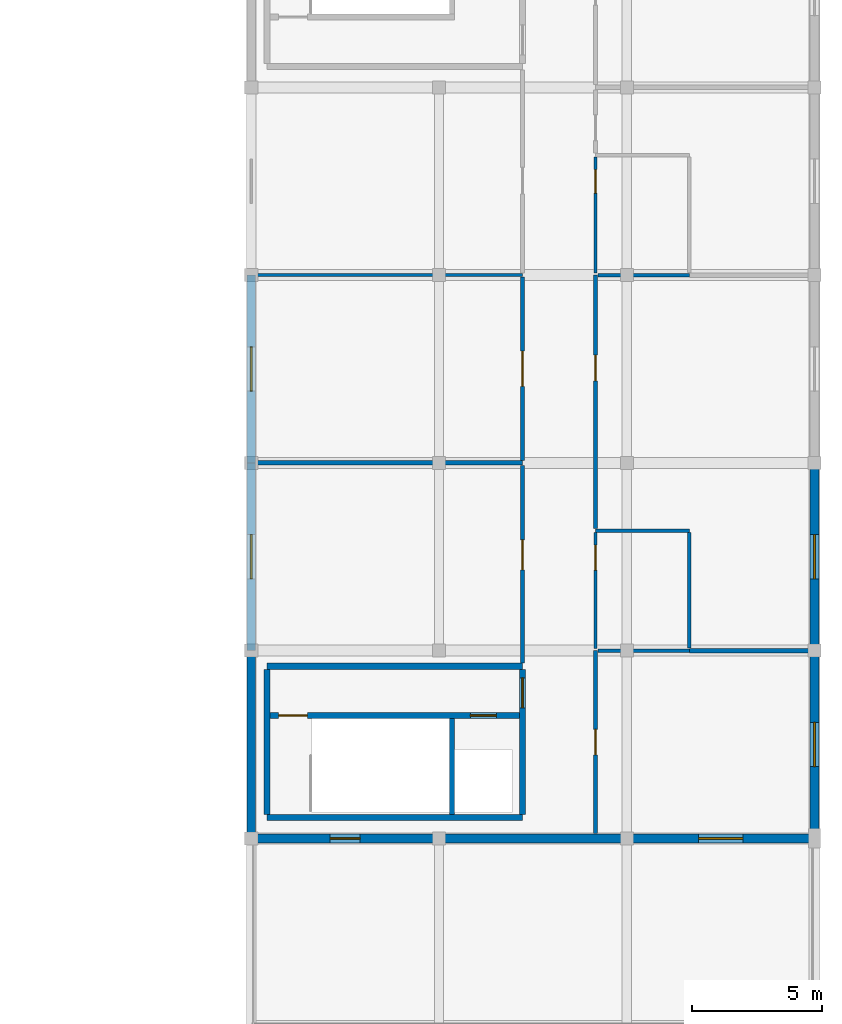
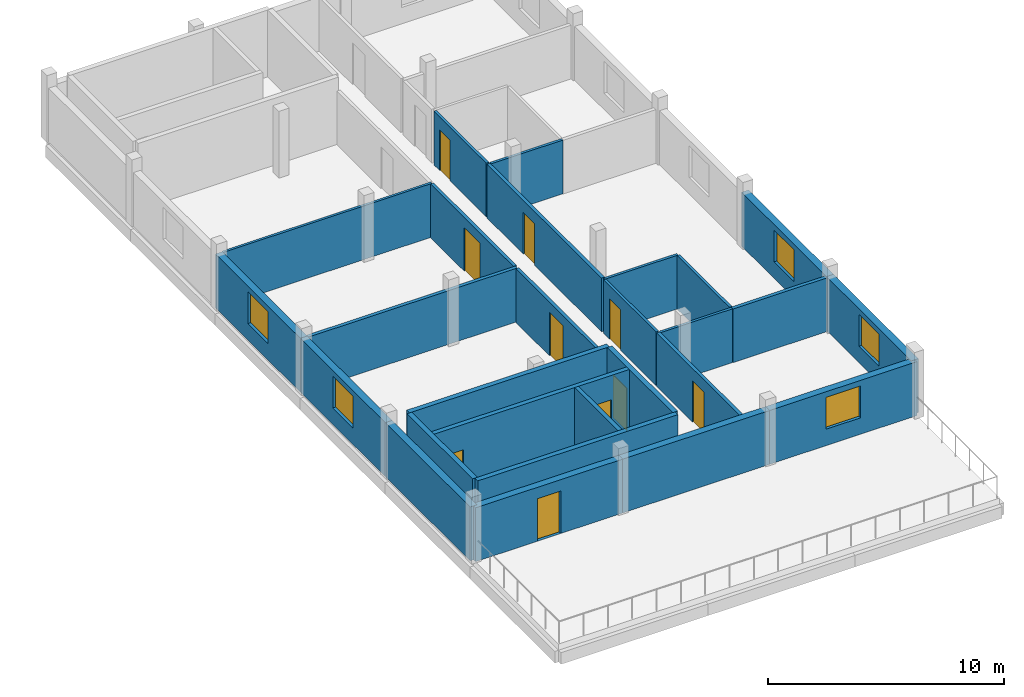
# One storey, part 22 of 26: 27 walls, 10 doors, 5 windows, 15 openings.
"""IFC4 building model written with IfcOpenShell, lengths in metres."""

from ifc_helpers import new_model, si_unit, direction, frame, frame_2d, origin, place, context, subcontext, project, spatial, rectangle, extrude, material, layer, layer_set, type_object, element, fill, save


model = new_model("IFC4")

# Units and contexts
model_context = context("Model", 3, precision=1e-05, world=origin(), true_north=direction((0.0, 1.0)))
body_context = subcontext(model_context, "Body", "Model", "MODEL_VIEW")
ifc_project = project(units=[si_unit("LENGTHUNIT", "METRE"), si_unit("AREAUNIT", "SQUARE_METRE"), si_unit("VOLUMEUNIT", "CUBIC_METRE"), si_unit("PLANEANGLEUNIT", "RADIAN"), si_unit("MASSUNIT", "GRAM", prefix="KILO")], contexts=[model_context])

# Site, building, storey
site_placement = place(None, origin())
site = spatial("IfcSite", under=ifc_project, at=site_placement, CompositionType="ELEMENT")
building_placement = place(site_placement, origin())
building = spatial("IfcBuilding", under=site, at=building_placement, Name="Zornivar Specialist Clinic", CompositionType="ELEMENT")
storey_placement = place(building_placement, frame((0.0, 0.0, 19.699951171875)))
storey = spatial("IfcBuildingStorey", under=building, at=storey_placement, Name="L05", CompositionType="ELEMENT", Elevation=19.699951171875)

# Wall, opening, door
ifc_material_1 = material(Name="Masonry Laboratory Terracotta and Stone Cavity Wall", Category="masonry")
ifc_layer_1 = layer(ifc_material_1, 0.340087890625)
ifc_layer_set_1 = layer_set([ifc_layer_1], Name="Masonry Laboratory Terracotta and Stone Cavity Wall")
wall_type_1 = type_object("IfcWallType", Name="EW-LAB-340", PredefinedType="SOLIDWALL", material=ifc_layer_set_1)
wall_1_placement = place(storey_placement, frame((144.0, 72.0, 0.0), z_axis=(0.0, 0.0, 1.0), x_axis=(1.0, 0.0, 0.0)))
wall_1 = element("IfcWall", 1, at=wall_1_placement, inside=storey, type_object=wall_type_1, Name="ew:V6:L05:00", PredefinedType="SOLIDWALL", context=body_context, shape_type="SweptSolid", body=[
    extrude(rectangle(XDim=7.199951171875, YDim=0.340087890625, at=frame_2d((3.60009765625, 0.0))), origin(), (0.0, 0.0, 1.0), 2.7900390625),
])
opening_1_placement = place(wall_1_placement, frame((3.02490234375, 0.0, 0.0)))
opening_1 = element("IfcOpeningElement", 2, at=opening_1_placement, cuts=wall_1, Name="Opening TD-03", PredefinedType="OPENING", context=body_context, shape_type="SweptSolid", body=[
    extrude(rectangle(XDim=1.14990234375, YDim=2.199951171875, at=frame_2d((0.574951171875, 1.10009765625))), frame((0.0, 0.179931640625, 0.0), z_axis=(0.0, -1.0, 0.0), x_axis=(1.0, 0.0, 0.0)), (0.0, 0.0, 1.0), 0.360107421875),
])
ifc_material_2 = material(Name="Thermally Broken Glazed Aluminium Door", Category="aluminium")
door_type_1 = type_object("IfcDoorType", Name="TD-TERR-1150x2200", OperationType="NOTDEFINED", PredefinedType="DOOR", material=ifc_material_2)
door_1_placement = place(opening_1_placement, origin())
door_1 = element("IfcDoor", 3, at=door_1_placement, inside=storey, type_object=door_type_1, Name="door:V6:L05:terr:0", OperationType="SINGLE_SWING_LEFT", OverallHeight=2.199951171875, OverallWidth=1.14990234375, PredefinedType="DOOR", context=body_context, shape_type="SweptSolid", body=[
    extrude(rectangle(XDim=1.14990234375, YDim=2.199951171875, at=frame_2d((0.574951171875, 1.10009765625))), frame((0.0, 0.02490234375, 0.0), z_axis=(0.0, -1.0, 0.0), x_axis=(1.0, 0.0, 0.0)), (0.0, 0.0, 1.0), 0.050048828125),
])
fill(opening_1, door_1)

# Wall
wall_2_placement = place(storey_placement, frame((151.199951171875, 72.0, 0.0), z_axis=(0.0, 0.0, 1.0), x_axis=(1.0, 0.0, 0.0)))
element("IfcWall", 4, at=wall_2_placement, inside=storey, type_object=wall_type_1, Name="ew:V6:L05:01", PredefinedType="SOLIDWALL", context=body_context, shape_type="SweptSolid", body=[
    extrude(rectangle(XDim=7.199951171875, YDim=0.340087890625, at=frame_2d((3.60009765625, 0.0))), origin(), (0.0, 0.0, 1.0), 2.7900390625),
])

# Wall, opening, window
wall_3_placement = place(storey_placement, frame((158.39990234375, 72.0, 0.0), z_axis=(0.0, 0.0, 1.0), x_axis=(1.0, 0.0, 0.0)))
wall_3 = element("IfcWall", 5, at=wall_3_placement, inside=storey, type_object=wall_type_1, Name="ew:V6:L05:02", PredefinedType="SOLIDWALL", context=body_context, shape_type="SweptSolid", body=[
    extrude(rectangle(XDim=7.2001953125, YDim=0.340087890625, at=frame_2d((3.60009765625, 0.0))), origin(), (0.0, 0.0, 1.0), 2.7900390625),
])
opening_2_placement = place(wall_3_placement, frame((2.75, 0.0, 0.85009765625)))
opening_2 = element("IfcOpeningElement", 6, at=opening_2_placement, cuts=wall_3, Name="Opening W-21", PredefinedType="OPENING", context=body_context, shape_type="SweptSolid", body=[
    extrude(rectangle(XDim=1.699951171875, YDim=1.64990234375, at=frame_2d((0.85009765625, 0.824951171875))), frame((0.0, 0.179931640625, 0.0), z_axis=(0.0, -1.0, 0.0), x_axis=(1.0, 0.0, 0.0)), (0.0, 0.0, 1.0), 0.360107421875),
])
ifc_material_3 = material(Name="Triple-Glazed Aluminium-Timber Window Glass", Category="wood")
window_type = type_object("IfcWindowType", Name="WIN-LAB-UPPER-1700x1650", PartitioningType="SINGLE_PANEL", PredefinedType="WINDOW", material=ifc_material_3)
window_1_placement = place(opening_2_placement, origin())
window_1 = element("IfcWindow", 7, at=window_1_placement, inside=storey, type_object=window_type, Name="win:V6:L05:02", OverallHeight=1.64990234375, OverallWidth=1.699951171875, PartitioningType="SINGLE_PANEL", PredefinedType="WINDOW", context=body_context, shape_type="SweptSolid", body=[
    extrude(rectangle(XDim=1.699951171875, YDim=1.64990234375, at=frame_2d((0.85009765625, 0.824951171875))), frame((0.0, 0.030029296875, 0.0), z_axis=(0.0, -1.0, 0.0), x_axis=(1.0, 0.0, 0.0)), (0.0, 0.0, 1.0), 0.06005859375),
])
fill(opening_2, window_1)

wall_4_placement = place(storey_placement, frame((165.60009765625, 72.0, 0.0), z_axis=(0.0, 0.0, 1.0), x_axis=(0.0, 1.0, 0.0)))
wall_4 = element("IfcWall", 8, at=wall_4_placement, inside=storey, type_object=wall_type_1, Name="ew:V6:L05:03", PredefinedType="SOLIDWALL", context=body_context, shape_type="SweptSolid", body=[
    extrude(rectangle(XDim=7.199951171875, YDim=0.340087890625, at=frame_2d((3.60009765625, 0.0))), origin(), (0.0, 0.0, 1.0), 2.7900390625),
])
opening_3_placement = place(wall_4_placement, frame((2.75, 0.0, 0.85009765625)))
opening_3 = element("IfcOpeningElement", 9, at=opening_3_placement, cuts=wall_4, Name="Opening W-21", PredefinedType="OPENING", context=body_context, shape_type="SweptSolid", body=[
    extrude(rectangle(XDim=1.699951171875, YDim=1.64990234375, at=frame_2d((0.85009765625, 0.824951171875))), frame((0.0, 0.179931640625, 0.0), z_axis=(0.0, -1.0, 0.0), x_axis=(1.0, 0.0, 0.0)), (0.0, 0.0, 1.0), 0.360107421875),
])
window_2_placement = place(opening_3_placement, origin())
window_2 = element("IfcWindow", 10, at=window_2_placement, inside=storey, type_object=window_type, Name="win:V6:L05:03", OverallHeight=1.64990234375, OverallWidth=1.699951171875, PartitioningType="SINGLE_PANEL", PredefinedType="WINDOW", context=body_context, shape_type="SweptSolid", body=[
    extrude(rectangle(XDim=1.699951171875, YDim=1.64990234375, at=frame_2d((0.85009765625, 0.824951171875))), frame((0.0, 0.030029296875, 0.0), z_axis=(0.0, -1.0, 0.0), x_axis=(1.0, 0.0, 0.0)), (0.0, 0.0, 1.0), 0.06005859375),
])
fill(opening_3, window_2)

wall_5_placement = place(storey_placement, frame((165.60009765625, 79.199951171875, 0.0), z_axis=(0.0, 0.0, 1.0), x_axis=(0.0, 1.0, 0.0)))
wall_5 = element("IfcWall", 11, at=wall_5_placement, inside=storey, type_object=wall_type_1, Name="ew:V6:L05:04", PredefinedType="SOLIDWALL", context=body_context, shape_type="SweptSolid", body=[
    extrude(rectangle(XDim=7.199951171875, YDim=0.340087890625, at=frame_2d((3.60009765625, 0.0))), origin(), (0.0, 0.0, 1.0), 2.7900390625),
])
opening_4_placement = place(wall_5_placement, frame((2.75, 0.0, 0.85009765625)))
opening_4 = element("IfcOpeningElement", 12, at=opening_4_placement, cuts=wall_5, Name="Opening W-21", PredefinedType="OPENING", context=body_context, shape_type="SweptSolid", body=[
    extrude(rectangle(XDim=1.699951171875, YDim=1.64990234375, at=frame_2d((0.85009765625, 0.824951171875))), frame((0.0, 0.179931640625, 0.0), z_axis=(0.0, -1.0, 0.0), x_axis=(1.0, 0.0, 0.0)), (0.0, 0.0, 1.0), 0.360107421875),
])
window_3_placement = place(opening_4_placement, origin())
window_3 = element("IfcWindow", 13, at=window_3_placement, inside=storey, type_object=window_type, Name="win:V6:L05:04", OverallHeight=1.64990234375, OverallWidth=1.699951171875, PartitioningType="SINGLE_PANEL", PredefinedType="WINDOW", context=body_context, shape_type="SweptSolid", body=[
    extrude(rectangle(XDim=1.699951171875, YDim=1.64990234375, at=frame_2d((0.85009765625, 0.824951171875))), frame((0.0, 0.030029296875, 0.0), z_axis=(0.0, -1.0, 0.0), x_axis=(1.0, 0.0, 0.0)), (0.0, 0.0, 1.0), 0.06005859375),
])
fill(opening_4, window_3)

wall_6_placement = place(storey_placement, frame((144.0, 93.60009765625, 0.0), z_axis=(0.0, 0.0, 1.0), x_axis=(0.0, -1.0, 0.0)))
wall_6 = element("IfcWall", 14, at=wall_6_placement, inside=storey, type_object=wall_type_1, Name="ew:V6:L05:13", PredefinedType="SOLIDWALL", context=body_context, shape_type="SweptSolid", body=[
    extrude(rectangle(XDim=7.2001953125, YDim=0.340087890625, at=frame_2d((3.60009765625, 0.0))), origin(), (0.0, 0.0, 1.0), 2.7900390625),
])
opening_5_placement = place(wall_6_placement, frame((2.75, 0.0, 0.85009765625)))
opening_5 = element("IfcOpeningElement", 15, at=opening_5_placement, cuts=wall_6, Name="Opening W-21", PredefinedType="OPENING", context=body_context, shape_type="SweptSolid", body=[
    extrude(rectangle(XDim=1.699951171875, YDim=1.64990234375, at=frame_2d((0.85009765625, 0.824951171875))), frame((0.0, 0.179931640625, 0.0), z_axis=(0.0, -1.0, 0.0), x_axis=(1.0, 0.0, 0.0)), (0.0, 0.0, 1.0), 0.360107421875),
])
window_4_placement = place(opening_5_placement, origin())
window_4 = element("IfcWindow", 16, at=window_4_placement, inside=storey, type_object=window_type, Name="win:V6:L05:13", OverallHeight=1.64990234375, OverallWidth=1.699951171875, PartitioningType="SINGLE_PANEL", PredefinedType="WINDOW", context=body_context, shape_type="SweptSolid", body=[
    extrude(rectangle(XDim=1.699951171875, YDim=1.64990234375, at=frame_2d((0.85009765625, 0.824951171875))), frame((0.0, 0.030029296875, 0.0), z_axis=(0.0, -1.0, 0.0), x_axis=(1.0, 0.0, 0.0)), (0.0, 0.0, 1.0), 0.06005859375),
])
fill(opening_5, window_4)

wall_7_placement = place(storey_placement, frame((144.0, 86.39990234375, 0.0), z_axis=(0.0, 0.0, 1.0), x_axis=(0.0, -1.0, 0.0)))
wall_7 = element("IfcWall", 17, at=wall_7_placement, inside=storey, type_object=wall_type_1, Name="ew:V6:L05:14", PredefinedType="SOLIDWALL", context=body_context, shape_type="SweptSolid", body=[
    extrude(rectangle(XDim=7.199951171875, YDim=0.340087890625, at=frame_2d((3.60009765625, 0.0))), origin(), (0.0, 0.0, 1.0), 2.7900390625),
])
opening_6_placement = place(wall_7_placement, frame((2.75, 0.0, 0.85009765625)))
opening_6 = element("IfcOpeningElement", 18, at=opening_6_placement, cuts=wall_7, Name="Opening W-21", PredefinedType="OPENING", context=body_context, shape_type="SweptSolid", body=[
    extrude(rectangle(XDim=1.699951171875, YDim=1.64990234375, at=frame_2d((0.85009765625, 0.824951171875))), frame((0.0, 0.179931640625, 0.0), z_axis=(0.0, -1.0, 0.0), x_axis=(1.0, 0.0, 0.0)), (0.0, 0.0, 1.0), 0.360107421875),
])
window_5_placement = place(opening_6_placement, origin())
window_5 = element("IfcWindow", 19, at=window_5_placement, inside=storey, type_object=window_type, Name="win:V6:L05:14", OverallHeight=1.64990234375, OverallWidth=1.699951171875, PartitioningType="SINGLE_PANEL", PredefinedType="WINDOW", context=body_context, shape_type="SweptSolid", body=[
    extrude(rectangle(XDim=1.699951171875, YDim=1.64990234375, at=frame_2d((0.85009765625, 0.824951171875))), frame((0.0, 0.030029296875, 0.0), z_axis=(0.0, -1.0, 0.0), x_axis=(1.0, 0.0, 0.0)), (0.0, 0.0, 1.0), 0.06005859375),
])
fill(opening_6, window_5)

# Wall
wall_8_placement = place(storey_placement, frame((144.0, 79.199951171875, 0.0), z_axis=(0.0, 0.0, 1.0), x_axis=(0.0, -1.0, 0.0)))
element("IfcWall", 20, at=wall_8_placement, inside=storey, type_object=wall_type_1, Name="ew:V6:L05:15", PredefinedType="SOLIDWALL", context=body_context, shape_type="SweptSolid", body=[
    extrude(rectangle(XDim=7.199951171875, YDim=0.340087890625, at=frame_2d((3.60009765625, 0.0))), origin(), (0.0, 0.0, 1.0), 2.7900390625),
])

# Wall, opening, door
ifc_material_4 = material(Name="Gypsum Fire-Rated Double Stud Partition")
ifc_layer_2 = layer(ifc_material_4, 0.159912109375)
ifc_layer_set_2 = layer_set([ifc_layer_2], Name="Gypsum Fire-Rated Double Stud Partition")
wall_type_2 = type_object("IfcWallType", Name="IW-CORR-EI60-160", PredefinedType="PARTITIONING", material=ifc_layer_set_2)
wall_9_placement = place(storey_placement, frame((154.39990234375, 86.301025390625, 0.0), z_axis=(0.0, 0.0, 1.0), x_axis=(0.0, -1.0, 0.0)))
wall_9 = element("IfcWall", 21, at=wall_9_placement, inside=storey, type_object=wall_type_2, Name="iw:L05:030", PredefinedType="PARTITIONING", context=body_context, shape_type="SweptSolid", body=[
    extrude(rectangle(XDim=7.56591796875, YDim=0.159912109375, at=frame_2d((3.782958984375, 0.0))), origin(), (0.0, 0.0, 1.0), 2.780029296875),
])
opening_7_placement = place(wall_9_placement, frame((2.85205078125, 0.0, 0.0)))
opening_7 = element("IfcOpeningElement", 22, at=opening_7_placement, cuts=wall_9, Name="Opening ID-06", PredefinedType="OPENING", context=body_context, shape_type="SweptSolid", body=[
    extrude(rectangle(XDim=1.14990234375, YDim=2.25, at=frame_2d((0.574951171875, 1.125))), frame((0.0, 0.08984375, 0.0), z_axis=(0.0, -1.0, 0.0), x_axis=(1.0, 0.0, 0.0)), (0.0, 0.0, 1.0), 0.179931640625),
])
ifc_material_5 = material(Name="Solid-Core Hygienic Laminate Timber Door", Category="wood")
door_type_2 = type_object("IfcDoorType", Name="ID-LAB-1150x2250", OperationType="NOTDEFINED", PredefinedType="DOOR", material=ifc_material_5)
door_2_placement = place(opening_7_placement, origin())
door_2 = element("IfcDoor", 23, at=door_2_placement, inside=storey, type_object=door_type_2, Name="door:space:V6:L05:rm:00", OperationType="SINGLE_SWING_LEFT", OverallHeight=2.25, OverallWidth=1.14990234375, PredefinedType="DOOR", context=body_context, shape_type="SweptSolid", body=[
    extrude(rectangle(XDim=1.14990234375, YDim=2.25, at=frame_2d((0.574951171875, 1.125))), frame((0.0, 0.02490234375, 0.0), z_axis=(0.0, -1.0, 0.0), x_axis=(1.0, 0.0, 0.0)), (0.0, 0.0, 1.0), 0.050048828125),
])
fill(opening_7, door_2)

wall_10_placement = place(storey_placement, frame((154.39990234375, 93.52587890625, 0.0), z_axis=(0.0, 0.0, 1.0), x_axis=(0.0, -1.0, 0.0)))
wall_10 = element("IfcWall", 24, at=wall_10_placement, inside=storey, type_object=wall_type_2, Name="iw:L05:032", PredefinedType="PARTITIONING", context=body_context, shape_type="SweptSolid", body=[
    extrude(rectangle(XDim=7.02685546875, YDim=0.159912109375, at=frame_2d((3.513427734375, 0.0))), origin(), (0.0, 0.0, 1.0), 2.780029296875),
])
opening_8_placement = place(wall_10_placement, frame((2.839111328125, 0.0, 0.0)))
opening_8 = element("IfcOpeningElement", 25, at=opening_8_placement, cuts=wall_10, Name="Opening ID-10", PredefinedType="OPENING", context=body_context, shape_type="SweptSolid", body=[
    extrude(rectangle(XDim=1.35009765625, YDim=2.25, at=frame_2d((0.675048828125, 1.125))), frame((0.0, 0.08984375, 0.0), z_axis=(0.0, -1.0, 0.0), x_axis=(1.0, 0.0, 0.0)), (0.0, 0.0, 1.0), 0.179931640625),
])
ifc_material_6 = material(Name="Solid-Core Hygienic Laminate Timber Door", Category="wood")
door_type_3 = type_object("IfcDoorType", Name="ID-TEACH-1350x2250", OperationType="NOTDEFINED", PredefinedType="DOOR", material=ifc_material_6)
door_3_placement = place(opening_8_placement, origin())
door_3 = element("IfcDoor", 26, at=door_3_placement, inside=storey, type_object=door_type_3, Name="door:space:V6:L05:rm:01", OperationType="SINGLE_SWING_RIGHT", OverallHeight=2.25, OverallWidth=1.35009765625, PredefinedType="DOOR", context=body_context, shape_type="SweptSolid", body=[
    extrude(rectangle(XDim=1.35009765625, YDim=2.25, at=frame_2d((0.675048828125, 1.125))), frame((0.0, 0.02490234375, 0.0), z_axis=(0.0, -1.0, 0.0), x_axis=(1.0, 0.0, 0.0)), (0.0, 0.0, 1.0), 0.050048828125),
])
fill(opening_8, door_3)

wall_11_placement = place(storey_placement, frame((157.199951171875, 72.18505859375, 0.0), z_axis=(0.0, 0.0, 1.0), x_axis=(0.0, 1.0, 0.0)))
wall_11 = element("IfcWall", 27, at=wall_11_placement, inside=storey, type_object=wall_type_2, Name="iw:L05:034", PredefinedType="PARTITIONING", context=body_context, shape_type="SweptSolid", body=[
    extrude(rectangle(XDim=7.014892578125, YDim=0.159912109375, at=frame_2d((3.50732421875, 0.0))), origin(), (0.0, 0.0, 1.0), 2.780029296875),
])
opening_9_placement = place(wall_11_placement, frame((3.01708984375, 0.0, 0.0)))
opening_9 = element("IfcOpeningElement", 28, at=opening_9_placement, cuts=wall_11, Name="Opening ID-09", PredefinedType="OPENING", context=body_context, shape_type="SweptSolid", body=[
    extrude(rectangle(XDim=0.97998046875, YDim=2.14990234375, at=frame_2d((0.489990234375, 1.074951171875))), frame((0.0, 0.08984375, 0.0), z_axis=(0.0, -1.0, 0.0), x_axis=(1.0, 0.0, 0.0)), (0.0, 0.0, 1.0), 0.179931640625),
])
ifc_material_7 = material(Name="Solid-Core Hygienic Laminate Timber Door", Category="wood")
door_type_4 = type_object("IfcDoorType", Name="ID-STAFF-0980x2150", OperationType="NOTDEFINED", PredefinedType="DOOR", material=ifc_material_7)
door_4_placement = place(opening_9_placement, origin())
door_4 = element("IfcDoor", 29, at=door_4_placement, inside=storey, type_object=door_type_4, Name="door:space:V6:L05:rm:03", OperationType="SINGLE_SWING_RIGHT", OverallHeight=2.14990234375, OverallWidth=0.97998046875, PredefinedType="DOOR", context=body_context, shape_type="SweptSolid", body=[
    extrude(rectangle(XDim=0.97998046875, YDim=2.14990234375, at=frame_2d((0.489990234375, 1.074951171875))), frame((0.0, 0.02490234375, 0.0), z_axis=(0.0, -1.0, 0.0), x_axis=(1.0, 0.0, 0.0)), (0.0, 0.0, 1.0), 0.050048828125),
])
fill(opening_9, door_4)

wall_12_placement = place(storey_placement, frame((157.199951171875, 83.87890625, 0.0), z_axis=(0.0, 0.0, 1.0), x_axis=(0.0, 1.0, 0.0)))
wall_12 = element("IfcWall", 30, at=wall_12_placement, inside=storey, type_object=wall_type_2, Name="iw:L05:040", PredefinedType="PARTITIONING", context=body_context, shape_type="SweptSolid", body=[
    extrude(rectangle(XDim=9.72119140625, YDim=0.159912109375, at=frame_2d((4.860595703125, 0.0))), origin(), (0.0, 0.0, 1.0), 2.780029296875),
])
opening_10_placement = place(wall_12_placement, frame((5.6669921875, 0.0, 0.0)))
opening_10 = element("IfcOpeningElement", 31, at=opening_10_placement, cuts=wall_12, Name="Opening ID-09", PredefinedType="OPENING", context=body_context, shape_type="SweptSolid", body=[
    extrude(rectangle(XDim=0.97998046875, YDim=2.14990234375, at=frame_2d((0.489990234375, 1.074951171875))), frame((0.0, 0.08984375, 0.0), z_axis=(0.0, -1.0, 0.0), x_axis=(1.0, 0.0, 0.0)), (0.0, 0.0, 1.0), 0.179931640625),
])
door_5_placement = place(opening_10_placement, origin())
door_5 = element("IfcDoor", 32, at=door_5_placement, inside=storey, type_object=door_type_4, Name="door:space:V6:L05:rm:04b", OperationType="SINGLE_SWING_RIGHT", OverallHeight=2.14990234375, OverallWidth=0.97998046875, PredefinedType="DOOR", context=body_context, shape_type="SweptSolid", body=[
    extrude(rectangle(XDim=0.97998046875, YDim=2.14990234375, at=frame_2d((0.489990234375, 1.074951171875))), frame((0.0, 0.02490234375, 0.0), z_axis=(0.0, -1.0, 0.0), x_axis=(1.0, 0.0, 0.0)), (0.0, 0.0, 1.0), 0.050048828125),
])
fill(opening_10, door_5)

# Walls
ifc_material_8 = material(Name="Acoustic Glazed Consultation Partition")
ifc_layer_3 = layer(ifc_material_8, 0.1201171875)
ifc_layer_set_3 = layer_set([ifc_layer_3], Name="Acoustic Glazed Consultation Partition")
wall_type_3 = type_object("IfcWallType", Name="IW-GLAZ-120", PredefinedType="PARTITIONING", material=ifc_layer_set_3)
wall_13_placement = place(storey_placement, frame((144.18505859375, 93.60009765625, 0.0), z_axis=(0.0, 0.0, 1.0), x_axis=(1.0, 0.0, 0.0)))
element("IfcWall", 33, at=wall_13_placement, inside=storey, type_object=wall_type_3, Name="iw:L05:031", PredefinedType="PARTITIONING", context=body_context, shape_type="SweptSolid", body=[
    extrude(rectangle(XDim=10.21484375, YDim=0.1201171875, at=frame_2d((5.107421875, 0.0))), origin(), (0.0, 0.0, 1.0), 2.780029296875),
])
ifc_material_9 = material(Name="Laboratory Chemical-Resistant Stud Partition")
ifc_layer_4 = layer(ifc_material_9, 0.169921875)
ifc_layer_set_4 = layer_set([ifc_layer_4], Name="Laboratory Chemical-Resistant Stud Partition")
wall_type_4 = type_object("IfcWallType", Name="IW-LAB-EI60-170", PredefinedType="PARTITIONING", material=ifc_layer_set_4)
wall_14_placement = place(storey_placement, frame((144.18505859375, 86.39990234375, 0.0), z_axis=(0.0, 0.0, 1.0), x_axis=(1.0, 0.0, 0.0)))
element("IfcWall", 34, at=wall_14_placement, inside=storey, type_object=wall_type_4, Name="iw:L05:029", PredefinedType="PARTITIONING", context=body_context, shape_type="SweptSolid", body=[
    extrude(rectangle(XDim=10.21484375, YDim=0.169921875, at=frame_2d((5.107421875, 0.0))), origin(), (0.0, 0.0, 1.0), 2.780029296875),
])
wall_15_placement = place(storey_placement, frame((160.81201171875, 79.199951171875, 0.0), z_axis=(0.0, 0.0, 1.0), x_axis=(1.0, 0.0, 0.0)))
element("IfcWall", 35, at=wall_15_placement, inside=storey, type_object=wall_type_4, Name="iw:L05:036", PredefinedType="PARTITIONING", context=body_context, shape_type="SweptSolid", body=[
    extrude(rectangle(XDim=4.60302734375, YDim=0.169921875, at=frame_2d((2.301513671875, 0.0))), origin(), (0.0, 0.0, 1.0), 2.780029296875),
])
ifc_material_10 = material(Name="Moisture-Resistant Sanitary Partition")
ifc_layer_5 = layer(ifc_material_10, 0.1298828125)
ifc_layer_set_5 = layer_set([ifc_layer_5], Name="Moisture-Resistant Sanitary Partition")
wall_type_5 = type_object("IfcWallType", Name="IW-WET-130", PredefinedType="PARTITIONING", material=ifc_layer_set_5)
wall_16_placement = place(storey_placement, frame((157.2939453125, 79.199951171875, 0.0), z_axis=(0.0, 0.0, 1.0), x_axis=(1.0, 0.0, 0.0)))
element("IfcWall", 36, at=wall_16_placement, inside=storey, type_object=wall_type_5, Name="iw:L05:035", PredefinedType="PARTITIONING", context=body_context, shape_type="SweptSolid", body=[
    extrude(rectangle(XDim=3.506103515625, YDim=0.1298828125, at=frame_2d((1.7529296875, 0.0))), origin(), (0.0, 0.0, 1.0), 2.780029296875),
])
wall_17_placement = place(storey_placement, frame((157.199951171875, 83.800048828125, 0.0), z_axis=(0.0, 0.0, 1.0), x_axis=(1.0, 0.0, 0.0)))
element("IfcWall", 37, at=wall_17_placement, inside=storey, type_object=wall_type_5, Name="iw:L05:037", PredefinedType="PARTITIONING", context=body_context, shape_type="SweptSolid", body=[
    extrude(rectangle(XDim=3.60009765625, YDim=0.1298828125, at=frame_2d((1.800048828125, 0.0))), origin(), (0.0, 0.0, 1.0), 2.780029296875),
])
wall_18_placement = place(storey_placement, frame((160.800048828125, 83.720947265625, 0.0), z_axis=(0.0, 0.0, 1.0), x_axis=(0.0, -1.0, 0.0)))
element("IfcWall", 38, at=wall_18_placement, inside=storey, type_object=wall_type_5, Name="iw:L05:038", PredefinedType="PARTITIONING", context=body_context, shape_type="SweptSolid", body=[
    extrude(rectangle(XDim=4.421875, YDim=0.1298828125, at=frame_2d((2.2109375, 0.0))), origin(), (0.0, 0.0, 1.0), 2.780029296875),
])

# Wall, opening, door
wall_19_placement = place(storey_placement, frame((157.199951171875, 79.279052734375, 0.0), z_axis=(0.0, 0.0, 1.0), x_axis=(0.0, 1.0, 0.0)))
wall_19 = element("IfcWall", 39, at=wall_19_placement, inside=storey, type_object=wall_type_5, Name="iw:L05:039", PredefinedType="PARTITIONING", context=body_context, shape_type="SweptSolid", body=[
    extrude(rectangle(XDim=4.44189453125, YDim=0.1298828125, at=frame_2d((2.220947265625, 0.0))), origin(), (0.0, 0.0, 1.0), 2.780029296875),
])
opening_11_placement = place(wall_19_placement, frame((3.011962890625, 0.0, 0.0)))
opening_11 = element("IfcOpeningElement", 40, at=opening_11_placement, cuts=wall_19, Name="Opening ID-07", PredefinedType="OPENING", context=body_context, shape_type="SweptSolid", body=[
    extrude(rectangle(XDim=0.949951171875, YDim=2.10009765625, at=frame_2d((0.47509765625, 1.050048828125))), frame((0.0, 0.074951171875, 0.0), z_axis=(0.0, -1.0, 0.0), x_axis=(1.0, 0.0, 0.0)), (0.0, 0.0, 1.0), 0.14990234375),
])
ifc_material_11 = material(Name="Solid-Core Hygienic Laminate Timber Door", Category="wood")
door_type_5 = type_object("IfcDoorType", Name="ID-WC-ACC-0950x2100", OperationType="NOTDEFINED", PredefinedType="DOOR", material=ifc_material_11)
door_6_placement = place(opening_11_placement, origin())
door_6 = element("IfcDoor", 41, at=door_6_placement, inside=storey, type_object=door_type_5, Name="door:space:V6:L05:rm:04", OperationType="SINGLE_SWING_LEFT", OverallHeight=2.10009765625, OverallWidth=0.949951171875, PredefinedType="DOOR", context=body_context, shape_type="SweptSolid", body=[
    extrude(rectangle(XDim=0.949951171875, YDim=2.10009765625, at=frame_2d((0.47509765625, 1.050048828125))), frame((0.0, 0.02490234375, 0.0), z_axis=(0.0, -1.0, 0.0), x_axis=(1.0, 0.0, 0.0)), (0.0, 0.0, 1.0), 0.050048828125),
])
fill(opening_11, door_6)

# Wall
wall_20_placement = place(storey_placement, frame((157.2939453125, 93.60009765625, 0.0), z_axis=(0.0, 0.0, 1.0), x_axis=(1.0, 0.0, 0.0)))
element("IfcWall", 42, at=wall_20_placement, inside=storey, type_object=wall_type_5, Name="iw:L05:041", PredefinedType="PARTITIONING", context=body_context, shape_type="SweptSolid", body=[
    extrude(rectangle(XDim=3.506103515625, YDim=0.1298828125, at=frame_2d((1.7529296875, 0.0))), origin(), (0.0, 0.0, 1.0), 2.780029296875),
])

# Wall, opening, door
wall_21_placement = place(storey_placement, frame((157.199951171875, 93.678955078125, 0.0), z_axis=(0.0, 0.0, 1.0), x_axis=(0.0, 1.0, 0.0)))
wall_21 = element("IfcWall", 43, at=wall_21_placement, inside=storey, type_object=wall_type_5, Name="iw:L05:045", PredefinedType="PARTITIONING", context=body_context, shape_type="SweptSolid", body=[
    extrude(rectangle(XDim=4.442138671875, YDim=0.1298828125, at=frame_2d((2.22119140625, 0.0))), origin(), (0.0, 0.0, 1.0), 2.780029296875),
])
opening_12_placement = place(wall_21_placement, frame((3.06201171875, 0.0, 0.0)))
opening_12 = element("IfcOpeningElement", 44, at=opening_12_placement, cuts=wall_21, Name="Opening ID-08", PredefinedType="OPENING", context=body_context, shape_type="SweptSolid", body=[
    extrude(rectangle(XDim=0.89990234375, YDim=2.10009765625, at=frame_2d((0.449951171875, 1.050048828125))), frame((0.0, 0.074951171875, 0.0), z_axis=(0.0, -1.0, 0.0), x_axis=(1.0, 0.0, 0.0)), (0.0, 0.0, 1.0), 0.14990234375),
])
ifc_material_12 = material(Name="Solid-Core Hygienic Laminate Timber Door", Category="wood")
door_type_6 = type_object("IfcDoorType", Name="ID-WC-STD-0900x2100", OperationType="NOTDEFINED", PredefinedType="DOOR", material=ifc_material_12)
door_7_placement = place(opening_12_placement, origin())
door_7 = element("IfcDoor", 45, at=door_7_placement, inside=storey, type_object=door_type_6, Name="door:space:V6:L05:rm:06", OperationType="SINGLE_SWING_LEFT", OverallHeight=2.10009765625, OverallWidth=0.89990234375, PredefinedType="DOOR", context=body_context, shape_type="SweptSolid", body=[
    extrude(rectangle(XDim=0.89990234375, YDim=2.10009765625, at=frame_2d((0.449951171875, 1.050048828125))), frame((0.0, 0.02490234375, 0.0), z_axis=(0.0, -1.0, 0.0), x_axis=(1.0, 0.0, 0.0)), (0.0, 0.0, 1.0), 0.050048828125),
])
fill(opening_12, door_7)

# Wall
ifc_material_13 = material(Name="Concrete C35/45", Category="concrete")
ifc_layer_6 = layer(ifc_material_13, 0.239990234375)
ifc_layer_set_6 = layer_set([ifc_layer_6], Name="Concrete C35/45")
wall_type_6 = type_object("IfcWallType", Name="SW-CORE-240", PredefinedType="SHEAR", material=ifc_layer_set_6)
wall_22_placement = place(storey_placement, frame((144.60009765625, 72.800048828125, 0.0), z_axis=(0.0, 0.0, 1.0), x_axis=(1.0, 0.0, 0.0)))
element("IfcWall", 46, at=wall_22_placement, inside=storey, type_object=wall_type_6, Name="sw:C9:L05:w0", PredefinedType="SHEAR", context=body_context, shape_type="SweptSolid", body=[
    extrude(rectangle(XDim=9.7998046875, YDim=0.239990234375, at=frame_2d((4.89990234375, 0.0))), origin(), (0.0, 0.0, 1.0), 3.4599609375),
])

# Wall, opening, door
wall_23_placement = place(storey_placement, frame((154.39990234375, 72.919921875, 0.0), z_axis=(0.0, 0.0, 1.0), x_axis=(0.0, 1.0, 0.0)))
wall_23 = element("IfcWall", 47, at=wall_23_placement, inside=storey, type_object=wall_type_6, Name="sw:C9:L05:w1", PredefinedType="SHEAR", context=body_context, shape_type="SweptSolid", body=[
    extrude(rectangle(XDim=5.56005859375, YDim=0.239990234375, at=frame_2d((2.780029296875, 0.0))), origin(), (0.0, 0.0, 1.0), 3.4599609375),
])
opening_13_placement = place(wall_23_placement, frame((4.090087890625, 0.0, 0.0)))
opening_13 = element("IfcOpeningElement", 48, at=opening_13_placement, cuts=wall_23, Name="Opening FD-03", PredefinedType="OPENING", context=body_context, shape_type="SweptSolid", body=[
    extrude(rectangle(XDim=1.14990234375, YDim=2.199951171875, at=frame_2d((0.574951171875, 1.10009765625))), frame((0.0, 0.1298828125, 0.0), z_axis=(0.0, -1.0, 0.0), x_axis=(1.0, 0.0, 0.0)), (0.0, 0.0, 1.0), 0.260009765625),
])
ifc_material_14 = material(Name="Solid-Core Hygienic Laminate Timber Door", Category="wood")
door_type_7 = type_object("IfcDoorType", Name="FD-LOBBY-UPPER-1150x2200", OperationType="NOTDEFINED", PredefinedType="DOOR", material=ifc_material_14)
door_8_placement = place(opening_13_placement, origin())
door_8 = element("IfcDoor", 49, at=door_8_placement, inside=storey, type_object=door_type_7, Name="door:C9:L05:lob", OperationType="SINGLE_SWING_RIGHT", OverallHeight=2.199951171875, OverallWidth=1.14990234375, PredefinedType="DOOR", context=body_context, shape_type="SweptSolid", body=[
    extrude(rectangle(XDim=1.14990234375, YDim=2.199951171875, at=frame_2d((0.574951171875, 1.10009765625))), frame((0.0, 0.02490234375, 0.0), z_axis=(0.0, -1.0, 0.0), x_axis=(1.0, 0.0, 0.0)), (0.0, 0.0, 1.0), 0.050048828125),
])
fill(opening_13, door_8)

# Walls
wall_24_placement = place(storey_placement, frame((154.39990234375, 78.60009765625, 0.0), z_axis=(0.0, 0.0, 1.0), x_axis=(-1.0, 0.0, 0.0)))
element("IfcWall", 50, at=wall_24_placement, inside=storey, type_object=wall_type_6, Name="sw:C9:L05:w2", PredefinedType="SHEAR", context=body_context, shape_type="SweptSolid", body=[
    extrude(rectangle(XDim=9.7998046875, YDim=0.239990234375, at=frame_2d((4.89990234375, 0.0))), origin(), (0.0, 0.0, 1.0), 3.4599609375),
])
wall_25_placement = place(storey_placement, frame((144.60009765625, 78.47998046875, 0.0), z_axis=(0.0, 0.0, 1.0), x_axis=(0.0, -1.0, 0.0)))
element("IfcWall", 51, at=wall_25_placement, inside=storey, type_object=wall_type_6, Name="sw:C9:L05:w3", PredefinedType="SHEAR", context=body_context, shape_type="SweptSolid", body=[
    extrude(rectangle(XDim=5.56005859375, YDim=0.239990234375, at=frame_2d((2.780029296875, 0.0))), origin(), (0.0, 0.0, 1.0), 3.4599609375),
])
ifc_material_15 = material(Name="Concrete C30/37", Category="concrete")
ifc_layer_7 = layer(ifc_material_15, 0.199951171875)
ifc_layer_set_7 = layer_set([ifc_layer_7], Name="Concrete C30/37")
wall_type_7 = type_object("IfcWallType", Name="SW-LIFT-200", PredefinedType="SHEAR", material=ifc_layer_set_7)
wall_26_placement = place(storey_placement, frame((151.699951171875, 72.919921875, 0.0), z_axis=(0.0, 0.0, 1.0), x_axis=(0.0, 1.0, 0.0)))
element("IfcWall", 52, at=wall_26_placement, inside=storey, type_object=wall_type_7, Name="sw:C9:L05:sdiv", PredefinedType="SHEAR", context=body_context, shape_type="SweptSolid", body=[
    extrude(rectangle(XDim=3.68017578125, YDim=0.199951171875, at=frame_2d((1.840087890625, 0.0))), origin(), (0.0, 0.0, 1.0), 3.4599609375),
])

# Wall, openings, doors
ifc_material_16 = material(Name="Concrete C30/37", Category="concrete")
ifc_layer_8 = layer(ifc_material_16, 0.219970703125)
ifc_layer_set_8 = layer_set([ifc_layer_8], Name="Concrete C30/37")
wall_type_8 = type_object("IfcWallType", Name="SW-SHAFT-220", PredefinedType="SHEAR", material=ifc_layer_set_8)
wall_27_placement = place(storey_placement, frame((144.719970703125, 76.7099609375, 0.0), z_axis=(0.0, 0.0, 1.0), x_axis=(1.0, 0.0, 0.0)))
wall_27 = element("IfcWall", 53, at=wall_27_placement, inside=storey, type_object=wall_type_8, Name="sw:C9:L05:stwall", PredefinedType="SHEAR", context=body_context, shape_type="SweptSolid", body=[
    extrude(rectangle(XDim=9.56005859375, YDim=0.219970703125, at=frame_2d((4.780029296875, 0.0))), origin(), (0.0, 0.0, 1.0), 3.4599609375),
])
opening_14_placement = place(wall_27_placement, frame((0.330078125, 0.0, 0.0)))
opening_14 = element("IfcOpeningElement", 54, at=opening_14_placement, cuts=wall_27, Name="Opening FD-02", PredefinedType="OPENING", context=body_context, shape_type="SweptSolid", body=[
    extrude(rectangle(XDim=1.10009765625, YDim=2.14990234375, at=frame_2d((0.550048828125, 1.074951171875))), frame((0.0, 0.119873046875, 0.0), z_axis=(0.0, -1.0, 0.0), x_axis=(1.0, 0.0, 0.0)), (0.0, 0.0, 1.0), 0.239990234375),
])
opening_15_placement = place(wall_27_placement, frame((7.679931640625, 0.0, 0.0)))
opening_15 = element("IfcOpeningElement", 55, at=opening_15_placement, cuts=wall_27, Name="Opening LD-02", PredefinedType="OPENING", context=body_context, shape_type="SweptSolid", body=[
    extrude(rectangle(XDim=1.0, YDim=2.199951171875, at=frame_2d((0.5, 1.10009765625))), frame((0.0, 0.119873046875, 0.0), z_axis=(0.0, -1.0, 0.0), x_axis=(1.0, 0.0, 0.0)), (0.0, 0.0, 1.0), 0.239990234375),
])
ifc_material_17 = material(Name="Solid-Core Hygienic Laminate Timber Door", Category="wood")
door_type_8 = type_object("IfcDoorType", Name="FD-STAIR-1100x2150", OperationType="NOTDEFINED", PredefinedType="DOOR", material=ifc_material_17)
door_9_placement = place(opening_14_placement, origin())
door_9 = element("IfcDoor", 56, at=door_9_placement, inside=storey, type_object=door_type_8, Name="door:C9:L05:stair", OperationType="SINGLE_SWING_LEFT", OverallHeight=2.14990234375, OverallWidth=1.10009765625, PredefinedType="DOOR", context=body_context, shape_type="SweptSolid", body=[
    extrude(rectangle(XDim=1.10009765625, YDim=2.14990234375, at=frame_2d((0.550048828125, 1.074951171875))), frame((0.0, 0.02490234375, 0.0), z_axis=(0.0, -1.0, 0.0), x_axis=(1.0, 0.0, 0.0)), (0.0, 0.0, 1.0), 0.050048828125),
])
fill(opening_14, door_9)
ifc_material_18 = material(Name="Stainless Steel Lift Landing Sliding Door", Category="steel")
door_type_9 = type_object("IfcDoorType", Name="LD-LIFT-1000x2200", OperationType="NOTDEFINED", PredefinedType="DOOR", material=ifc_material_18)
door_10_placement = place(opening_15_placement, origin())
door_10 = element("IfcDoor", 57, at=door_10_placement, inside=storey, type_object=door_type_9, Name="door:C9:L05:lift", OperationType="DOUBLE_DOOR_SLIDING", OverallHeight=2.199951171875, OverallWidth=1.0, PredefinedType="DOOR", context=body_context, shape_type="SweptSolid", body=[
    extrude(rectangle(XDim=1.0, YDim=2.199951171875, at=frame_2d((0.5, 1.10009765625))), frame((0.0, 0.02490234375, 0.0), z_axis=(0.0, -1.0, 0.0), x_axis=(1.0, 0.0, 0.0)), (0.0, 0.0, 1.0), 0.050048828125),
])
fill(opening_15, door_10)

save(model, "model.ifc")
